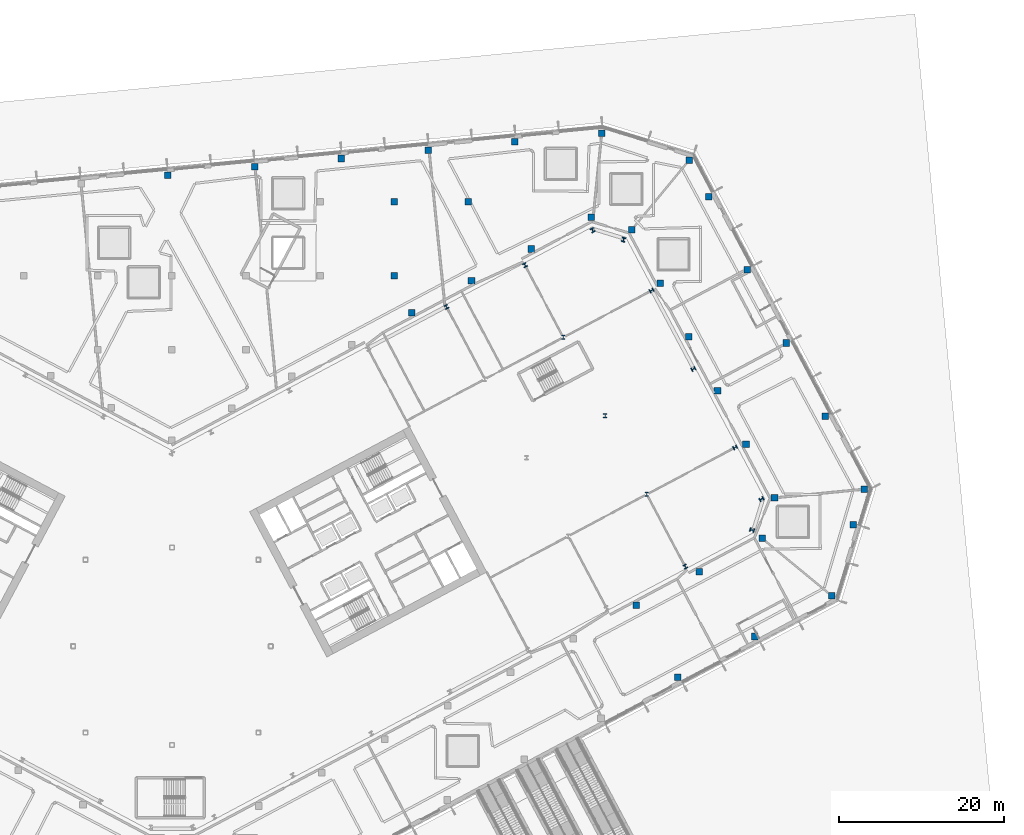
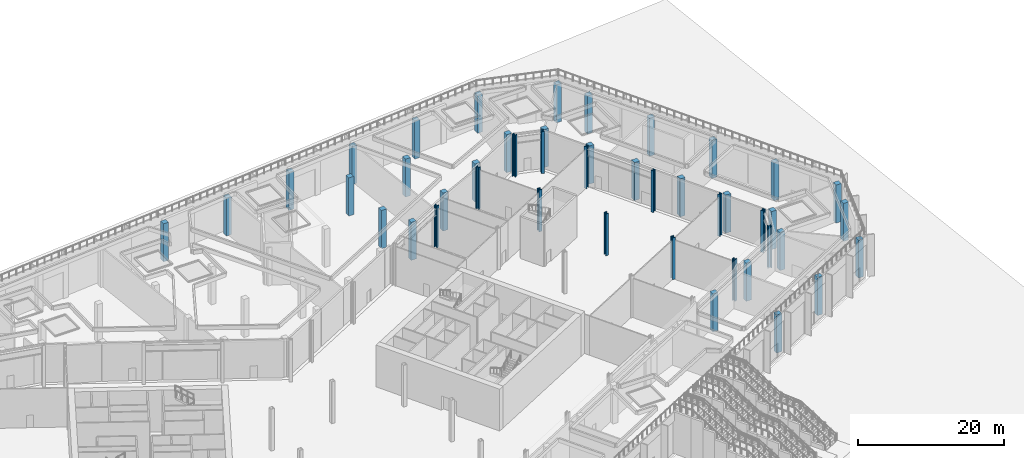
# One storey, part 6 of 57: 45 columns.
"""IFC4 building model written with IfcOpenShell, lengths in metres."""

import ifcopenshell
import ifcopenshell.guid

model = None  # the IFC model being written
_history = None  # IfcOwnerHistory: only IFC2X3 demands one
_inside = {}  # id of a spatial element -> (the spatial element, [elements in it])
_under = {}  # id of a project, library or spatial element -> (it, [spatial elements below it])
_declared = {}  # id of a project -> (the project, [libraries it declares])
_typed = {}  # id of a type object -> (the type object, [elements of that type])
_made_of = {}  # id of a material, layer set ... -> (it, [elements and type objects made of it])


def new_model(schema):
    """Start an empty IFC model of exactly this schema.

    Asked for "IFC4X3", IfcOpenShell would pick the latest addendum, in which some entities
    have other attributes; the version numbers below select the first issue.
    IFC2X3 requires an IfcOwnerHistory on every rooted entity: one is made here for all.
    """
    global model, _history
    if schema == "IFC4X3":
        model = ifcopenshell.file(schema_version=(4, 3, 0, 0))
    else:
        model = ifcopenshell.file(schema=schema)
    _inside.clear()
    _under.clear()
    _declared.clear()
    _typed.clear()
    _made_of.clear()
    _history = None
    if model.schema == "IFC2X3":
        org = make("IfcOrganization", Name="unknown")
        user = make(
            "IfcPersonAndOrganization",
            ThePerson=make("IfcPerson", FamilyName="unknown"),
            TheOrganization=org,
        )
        app = make(
            "IfcApplication",
            ApplicationDeveloper=org,
            Version="unknown",
            ApplicationFullName="unknown",
            ApplicationIdentifier="unknown",
        )
        _history = make(
            "IfcOwnerHistory",
            OwningUser=user,
            OwningApplication=app,
            ChangeAction="ADDED",
            CreationDate=0,
        )
    return model


def make(cls, **values):
    """One entity of the class cls with the attributes given. An attribute that is None is left unset."""
    return model.create_entity(
        cls, **{name: value for name, value in values.items() if value is not None}
    )


def rooted(cls, **values):
    """An entity with a GlobalId (a new one), such as an element, a storey or a relation."""
    return make(cls, GlobalId=ifcopenshell.guid.new(), OwnerHistory=_history, **values)


def si_unit(unit_type, name, prefix=None):
    """IfcSIUnit, for example si_unit("LENGTHUNIT", "METRE", prefix="MILLI")."""
    return make("IfcSIUnit", UnitType=unit_type, Prefix=prefix, Name=name)


def assignment(units):
    """IfcUnitAssignment: the units of a project."""
    return None if units is None else make("IfcUnitAssignment", Units=units)


def point(xyz):
    """IfcCartesianPoint."""
    return None if xyz is None else make("IfcCartesianPoint", Coordinates=xyz)


def direction(xyz):
    """IfcDirection."""
    return None if xyz is None else make("IfcDirection", DirectionRatios=xyz)


def frame(location, z_axis=None, x_axis=None):
    """IfcAxis2Placement3D, a coordinate frame: its origin and axes. An axis left out is left unset."""
    return make(
        "IfcAxis2Placement3D",
        Location=point(location),
        Axis=direction(z_axis),
        RefDirection=direction(x_axis),
    )


def frame_2d(location, x_axis=None):
    """IfcAxis2Placement2D, a coordinate frame in the plane: its origin and x axis."""
    return make(
        "IfcAxis2Placement2D", Location=point(location), RefDirection=direction(x_axis)
    )


def origin():
    """The frame at (0, 0, 0) with its axes left unset."""
    return frame((0.0, 0.0, 0.0))


def origin_2d():
    """The frame at (0, 0) in the plane with its x axis left unset."""
    return frame_2d((0.0, 0.0))


def place(relative_to, where):
    """IfcLocalPlacement: puts the frame where relative to a parent placement (None: the world)."""
    return make(
        "IfcLocalPlacement", PlacementRelTo=relative_to, RelativePlacement=where
    )


def context(
    kind, dimensions, precision=None, world=None, true_north=None, identifier=None
):
    """IfcGeometricRepresentationContext, for example the 3D "Model" context."""
    return make(
        "IfcGeometricRepresentationContext",
        ContextIdentifier=identifier,
        ContextType=kind,
        CoordinateSpaceDimension=dimensions,
        Precision=precision,
        WorldCoordinateSystem=world,
        TrueNorth=true_north,
    )


def subcontext(parent, identifier, kind, view, scale=None):
    """IfcGeometricRepresentationSubContext, for example "Body" below "Model"."""
    return make(
        "IfcGeometricRepresentationSubContext",
        ContextIdentifier=identifier,
        ContextType=kind,
        ParentContext=parent,
        TargetScale=scale,
        TargetView=view,
    )


def project(units=None, contexts=None):
    """IfcProject with its units and contexts."""
    return rooted(
        "IfcProject",
        Name="project",
        RepresentationContexts=contexts,
        UnitsInContext=assignment(units),
    )


def spatial(cls, under=None, at=None, **own):
    """A site, building, storey or space (cls), placed at a placement, below another one or the project."""
    s = rooted(cls, ObjectPlacement=at, **own)
    if under is not None:
        _under.setdefault(under.id(), (under, []))[1].append(s)
    return s


def profile(cls, at=None, kind="AREA", **sizes):
    """A parametric profile (cls). Its sizes go by their IFC names, for example OverallWidth=200.0."""
    return make(cls, ProfileType=kind, Position=at, **sizes)


def rectangle(**sizes):
    """IfcRectangleProfileDef."""
    return profile("IfcRectangleProfileDef", **sizes)


def i_section(**sizes):
    """IfcIShapeProfileDef."""
    return profile("IfcIShapeProfileDef", **sizes)


def extrude(swept, where, along, depth):
    """IfcExtrudedAreaSolid: the profile swept, set in the frame where, extruded along a direction by depth."""
    return make(
        "IfcExtrudedAreaSolid",
        SweptArea=swept,
        Position=where,
        ExtrudedDirection=direction(along),
        Depth=depth,
    )


def shape(context_of_items, identifier, shape_type, items):
    """IfcShapeRepresentation: the items that make up one representation, for example the "Body"."""
    return make(
        "IfcShapeRepresentation",
        ContextOfItems=context_of_items,
        RepresentationIdentifier=identifier,
        RepresentationType=shape_type,
        Items=items,
    )


def material(Name=None, Category=None):
    """IfcMaterial."""
    return make("IfcMaterial", Name=Name, Category=Category)


def material_profile(
    of_material, cross_section, Name=None, Category=None, Priority=None
):
    """IfcMaterialProfile: a cross section and its material."""
    return make(
        "IfcMaterialProfile",
        Name=Name,
        Material=of_material,
        Profile=cross_section,
        Priority=Priority,
        Category=Category,
    )


def profile_set(profiles, Name=None, composite=None):
    """IfcMaterialProfileSet."""
    return make(
        "IfcMaterialProfileSet",
        Name=Name,
        MaterialProfiles=profiles,
        CompositeProfile=composite,
    )


def made_of(thing, what):
    """Note that an element or type object is made of a material, layer set ...; save() writes the relation."""
    if what is not None:
        _made_of.setdefault(what.id(), (what, []))[1].append(thing)
    return thing


def type_object(cls, material=None, **own):
    """A type object (cls), such as IfcWallType, which elements share."""
    return made_of(rooted(cls, **own), material)


def element(
    cls,
    number,
    at=None,
    inside=None,
    cuts=None,
    type_object=None,
    material=None,
    context=None,
    identifier="Body",
    shape_type=None,
    held_by="IfcProductDefinitionShape",
    body=None,
    shapes=None,
    **own,
):
    """One element of the class cls, such as IfcWall. Its Tag is "e" and its number.

    at: its placement. inside: the storey or other place that contains it. cuts: it is an
    opening in that element (IfcRelVoidsElement). A single representation is given by context,
    identifier, shape_type and body (its items); several are given by shapes. held_by: the class
    of the entity that holds the representations. save() writes the other relations.
    """
    e = rooted(cls, Tag="e%d" % number, ObjectPlacement=at, **own)
    if body is not None:
        shapes = [shape(context, identifier, shape_type, body)]
    if shapes is not None:
        e.Representation = make(held_by, Representations=shapes)
    if inside is not None:
        _inside.setdefault(inside.id(), (inside, []))[1].append(e)
    if cuts is not None:
        rooted(
            "IfcRelVoidsElement", RelatingBuildingElement=cuts, RelatedOpeningElement=e
        )
    if type_object is not None:
        _typed.setdefault(type_object.id(), (type_object, []))[1].append(e)
    return made_of(e, material)


def aggregate(whole, parts):
    """IfcRelAggregates: a whole, such as a stair, and the parts it consists of."""
    return rooted("IfcRelAggregates", RelatingObject=whole, RelatedObjects=parts)


def save(model, path):
    """Write the relations noted so far, then the file.

    IfcRelAggregates (storeys below a building ...), IfcRelContainedInSpatialStructure (elements
    in a storey), IfcRelDefinesByType, IfcRelAssociatesMaterial and IfcRelDeclares: one each for
    every whole, place, type object, material and project.
    """
    for whole, parts in _under.values():
        aggregate(whole, parts)
    for where, things in _inside.values():
        rooted(
            "IfcRelContainedInSpatialStructure",
            RelatedElements=things,
            RelatingStructure=where,
        )
    for kind, things in _typed.values():
        rooted("IfcRelDefinesByType", RelatedObjects=things, RelatingType=kind)
    for what, things in _made_of.values():
        rooted("IfcRelAssociatesMaterial", RelatedObjects=things, RelatingMaterial=what)
    for by, libraries in _declared.values():
        rooted("IfcRelDeclares", RelatingContext=by, RelatedDefinitions=libraries)
    model.write(path)


model = new_model("IFC4")

# Units and contexts
model_context = context("Model", 3, precision=1e-05, world=origin(), true_north=direction((0.0, 1.0)))
body_context = subcontext(model_context, "Body", "Model", "MODEL_VIEW")
ifc_project = project(units=[si_unit("LENGTHUNIT", "METRE"), si_unit("AREAUNIT", "SQUARE_METRE"), si_unit("VOLUMEUNIT", "CUBIC_METRE"), si_unit("PLANEANGLEUNIT", "RADIAN"), si_unit("MASSUNIT", "GRAM", prefix="KILO")], contexts=[model_context])

# Site, building, storey
site_placement = place(None, origin())
site = spatial("IfcSite", under=ifc_project, at=site_placement, CompositionType="ELEMENT")
building_placement = place(site_placement, origin())
building = spatial("IfcBuilding", under=site, at=building_placement, Name="Cormorant Relay Tower", CompositionType="ELEMENT")
storey_placement = place(building_placement, origin())
storey = spatial("IfcBuildingStorey", under=building, at=storey_placement, Name="L00", CompositionType="ELEMENT", Elevation=0.0)

# Columns
ifc_material_1 = material(Name="Concrete 50 MPa", Category="concrete")
ifc_material_profile_1 = material_profile(ifc_material_1, rectangle(XDim=0.800048828125, YDim=0.800048828125, at=origin_2d()), Name="RC 800x800")
ifc_profile_set_1 = profile_set([ifc_material_profile_1], Name="Concrete 50 MPa")
column_type_1 = type_object("IfcColumnType", Name="Base column 800 x 800", PredefinedType="COLUMN", material=ifc_profile_set_1)
for number, where, z_axis, x_axis, name in (
    (1, (61.462890625, -3.7880859375, 0.0), (0.0, 0.0, 1.0), (1.0, 0.0, 0.0), "Base column"),
    (2, (70.800048828125, 1.176025390625, 0.0), (0.0, 0.0, 1.0), (1.0, 0.0, 0.0), "Base column"),
    (3, (56.4169921875, 4.968017578125, 0.0), (0.0, 0.0, 1.0), (1.0, 0.0, 0.0), "Base column"),
    (4, (80.136962890625, 6.14111328125, 0.0), (0.0, 0.0, 1.0), (1.0, 0.0, 0.0), "Base column"),
    (5, (64.05908203125, 9.031005859375, 0.0), (0.0, 0.0, 1.0), (1.0, 0.0, 0.0), "Base column"),
    (6, (71.700927734375, 13.093994140625, 0.0), (0.0, 0.0, 1.0), (1.0, 0.0, 0.0), "Base column"),
    (7, (82.77197265625, 14.760986328125, 0.0), (0.0, 0.0, 1.0), (1.0, 0.0, 0.0), "Base column"),
    (8, (73.2080078125, 18.02294921875, 0.0), (0.0, 0.0, 1.0), (1.0, 0.0, 0.0), "Base column"),
    (9, (84.090087890625, 19.071044921875, 0.0), (0.0, 0.0, 1.0), (1.0, 0.0, 0.0), "Base column"),
    (10, (69.741943359375, 24.541015625, 0.0), (0.0, 0.0, 1.0), (1.0, 0.0, 0.0), "Base column"),
    (11, (79.365966796875, 27.955078125, 0.0), (0.0, 0.0, 1.0), (1.0, 0.0, 0.0), "Base column"),
    (12, (66.27587890625, 31.05908203125, 0.0), (0.0, 0.0, 1.0), (1.0, 0.0, 0.0), "Base column"),
    (13, (74.64208984375, 36.839111328125, 0.0), (0.0, 0.0, 1.0), (1.0, 0.0, 0.0), "Base column"),
    (14, (62.81103515625, 37.576904296875, 0.0), (0.0, 0.0, 1.0), (1.0, 0.0, 0.0), "Base column"),
    (15, (29.114013671875, 40.510009765625, 0.0), (0.0, 0.0, 1.0), (1.0, 0.0, 0.0), "Base column"),
    (16, (59.344970703125, 44.095947265625, 0.0), (0.0, 0.0, 1.0), (1.0, 0.0, 0.0), "Base column"),
    (17, (36.39306640625, 44.3798828125, 0.0), (0.0, 0.0, 1.0), (1.0, 0.0, 0.0), "Base column"),
    (18, (27.0, 45.0, 0.0), (0.0, 0.0, 1.0), (1.0, 0.0, 0.0), "Base column"),
    (19, (69.91796875, 45.722900390625, 0.0), (0.0, 0.0, 1.0), (1.0, 0.0, 0.0), "Base column"),
    (20, (43.672119140625, 48.25, 0.0), (0.0, 0.0, 1.0), (1.0, 0.0, 0.0), "Base column"),
    (21, (55.87890625, 50.614013671875, 0.0), (0.0, 0.0, 1.0), (1.0, 0.0, 0.0), "Base column"),
    (22, (50.949951171875, 52.12109375, 0.0), (0.0, 0.0, 1.0), (1.0, 0.0, 0.0), "Base column"),
    (23, (27.0, 54.0, 0.0), (0.0, 0.0, 1.0), (1.0, 0.0, 0.0), "Base column"),
    (24, (36.0, 54.0, 0.0), (0.0, 0.0, 1.0), (1.0, 0.0, 0.0), "Base column"),
    (25, (65.195068359375, 54.60693359375, 0.0), (0.0, 0.0, 1.0), (1.0, 0.0, 0.0), "Base column"),
    (26, (-0.498046875, 57.218017578125, 0.0), (0.0, 0.0, 1.0), (1.0, 0.0, 0.0), "Base column"),
    (27, (10.0439453125, 58.23388671875, 0.0), (0.0, 0.0, 1.0), (1.0, 0.0, 0.0), "Base column"),
    (28, (62.8330078125, 59.049072265625, 0.0), (0.0, 0.0, 1.0), (1.0, 0.0, 0.0), "Base column"),
    (29, (20.5849609375, 59.25, 0.0), (0.0, 0.0, 1.0), (1.0, 0.0, 0.0), "Base column"),
    (30, (31.1259765625, 60.26611328125, 0.0), (0.0, 0.0, 1.0), (1.0, 0.0, 0.0), "Base column"),
    (31, (41.6669921875, 61.281982421875, 0.0), (0.0, 0.0, 1.0), (1.0, 0.0, 0.0), "Base column"),
    (32, (52.2080078125, 62.298095703125, 0.0), (0.0, 0.0, 1.0), (1.0, 0.0, 0.0), "Base column"),
):
    element("IfcColumn", number, at=place(storey_placement, frame(where, z_axis=z_axis, x_axis=x_axis)), inside=storey, type_object=column_type_1, Name=name, PredefinedType="COLUMN", context=body_context, shape_type="SweptSolid", body=[
        extrude(rectangle(XDim=0.800048828125, YDim=0.800048828125, at=origin_2d()), origin(), (0.0, 0.0, 1.0), 6.3701171875),
    ])
ifc_material_2 = material(Name="Steel ASTM A992 (Fy 345 MPa)", Category="steel")
ifc_material_profile_2 = material_profile(ifc_material_2, i_section(OverallWidth=0.45458984375, OverallDepth=0.569091796875, WebThickness=0.077880859375, FlangeThickness=0.124755859375, FilletRadius=0.015380859375, at=origin_2d()), Name="W360x1086")
ifc_profile_set_2 = profile_set([ifc_material_profile_2], Name="Steel ASTM A992 (Fy 345 MPa)")
column_type_2 = type_object("IfcColumnType", Name="Column W360x1086", PredefinedType="COLUMN", material=ifc_profile_set_2)
for number, where, z_axis, x_axis, name in (
    (33, (70.47412109375, 14.10595703125, 0.0), (0.0, 0.0, 1.0), (0.292371704723, 0.956304755963, 0.0), "Column L00-026"),
    (34, (71.625, 17.87109375, 0.0), (0.0, 0.0, 1.0), (-0.469471562786, 0.882947592859, 0.0), "Column L00-028"),
    (35, (57.694091796875, 18.445068359375, 0.0), (0.0, 0.0, 1.0), (1.0, 0.0, 0.0), "Column L00-029"),
    (36, (52.6240234375, 27.98095703125, 0.0), (0.0, 0.0, 1.0), (1.0, 0.0, 0.0), "Column L00-037"),
    (37, (47.552978515625, 37.51611328125, 0.0), (0.0, 0.0, 1.0), (1.0, 0.0, 0.0), "Column L00-045"),
    (38, (54.866943359375, 49.385986328125, 0.0), (0.0, 0.0, 1.0), (-0.956304755963, 0.292371704723, 0.0), "Column L00-053"),
    (39, (51.10302734375, 50.537109375, 0.0), (0.0, 0.0, 1.0), (-0.882947592859, -0.469471562786, 0.0), "Column L00-054"),
):
    element("IfcColumn", number, at=place(storey_placement, frame(where, z_axis=z_axis, x_axis=x_axis)), inside=storey, type_object=column_type_2, Name=name, PredefinedType="COLUMN", context=body_context, shape_type="SweptSolid", body=[
        extrude(i_section(OverallWidth=0.45458984375, OverallDepth=0.569091796875, WebThickness=0.077880859375, FlangeThickness=0.124755859375, FilletRadius=0.015380859375, at=origin_2d()), origin(), (0.0, 0.0, 1.0), 7.0),
    ])
ifc_material_3 = material(Name="Steel ASTM A992 (Fy 345 MPa)", Category="steel")
ifc_material_profile_3 = material_profile(ifc_material_3, i_section(OverallWidth=0.43701171875, OverallDepth=0.51318359375, WebThickness=0.060546875, FlangeThickness=0.096923828125, FilletRadius=0.015380859375, at=origin_2d()), Name="W360x818")
ifc_profile_set_3 = profile_set([ifc_material_profile_3], Name="Steel ASTM A992 (Fy 345 MPa)")
column_type_3 = type_object("IfcColumnType", Name="Column W360x818", PredefinedType="COLUMN", material=ifc_profile_set_3)
for number, where, z_axis, x_axis, name in (
    (40, (62.361083984375, 9.66796875, 0.0), (0.0, 0.0, 1.0), (0.882947592859, 0.469471562786, 0.0), "Column L00-020"),
    (41, (68.4130859375, 24.14404296875, 0.0), (0.0, 0.0, 1.0), (-0.469471562786, 0.882947592859, 0.0), "Column L00-033"),
    (42, (63.343017578125, 33.679931640625, 0.0), (0.0, 0.0, 1.0), (-0.469471562786, 0.882947592859, 0.0), "Column L00-042"),
    (43, (33.35107421875, 41.222900390625, 0.0), (0.0, 0.0, 1.0), (-0.882947592859, -0.469471562786, 0.0), "Column L00-049"),
    (44, (58.27197265625, 43.216064453125, 0.0), (0.0, 0.0, 1.0), (-0.469471562786, 0.882947592859, 0.0), "Column L00-051"),
    (45, (42.886962890625, 46.29296875, 0.0), (0.0, 0.0, 1.0), (-0.882947592859, -0.469471562786, 0.0), "Column L00-052"),
):
    element("IfcColumn", number, at=place(storey_placement, frame(where, z_axis=z_axis, x_axis=x_axis)), inside=storey, type_object=column_type_3, Name=name, PredefinedType="COLUMN", context=body_context, shape_type="SweptSolid", body=[
        extrude(i_section(OverallWidth=0.43701171875, OverallDepth=0.51318359375, WebThickness=0.060546875, FlangeThickness=0.096923828125, FilletRadius=0.015380859375, at=origin_2d()), origin(), (0.0, 0.0, 1.0), 7.0),
    ])

save(model, "model.ifc")
